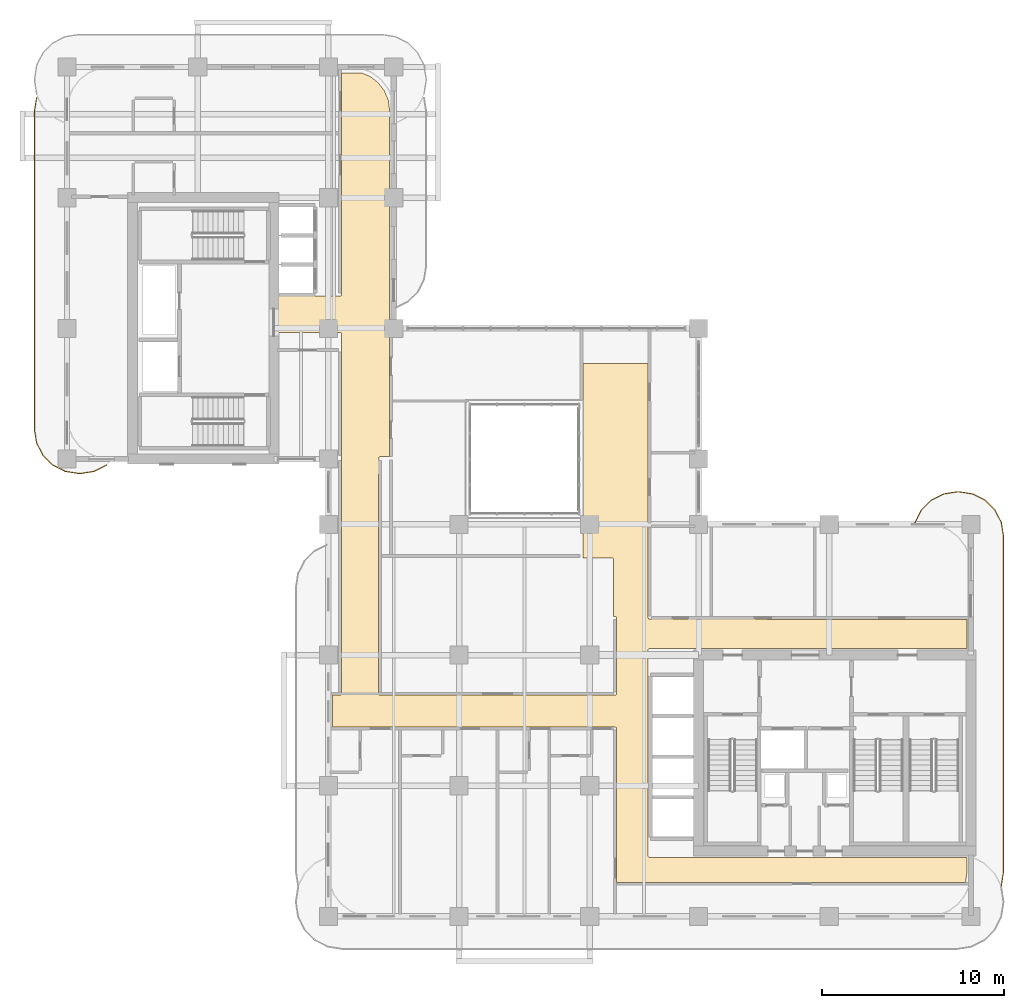
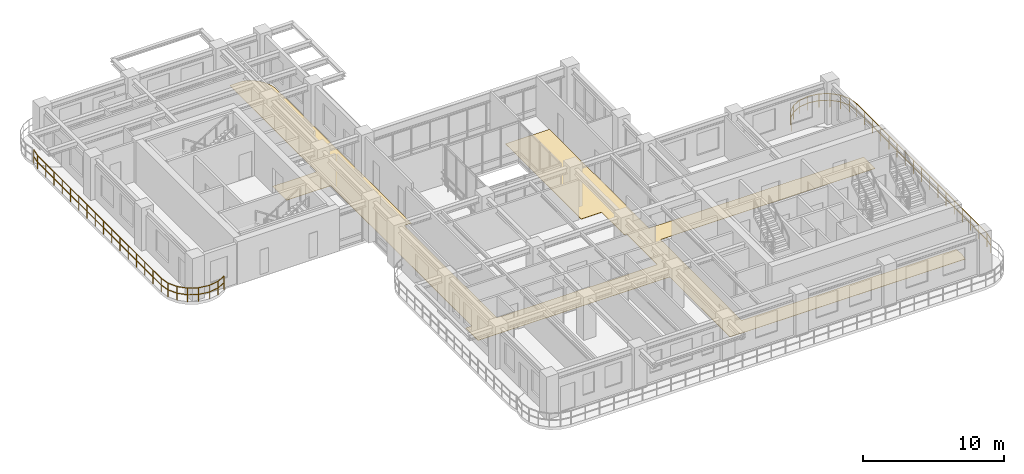
# One storey, part 19 of 20: 2 railings, 1 covering.
"""IFC4 building model written with IfcOpenShell, lengths in metres."""

from ifc_helpers import new_model, si_unit, derived_unit, direction, frame, origin, origin_2d, place, context, subcontext, project, spatial, polyline, rectangle, outline, extrude, material, layer, layer_set, type_object, element, save


model = new_model("IFC4")

# Units and contexts
model_context = context("Model", 3, precision=1e-05, world=origin(), true_north=direction((0.0, 1.0)))
body_context = subcontext(model_context, "Body", "Model", "MODEL_VIEW")
ifc_project = project(units=[si_unit("LENGTHUNIT", "METRE"), si_unit("AREAUNIT", "SQUARE_METRE"), si_unit("VOLUMEUNIT", "CUBIC_METRE"), si_unit("PLANEANGLEUNIT", "RADIAN"), si_unit("MASSUNIT", "GRAM", prefix="KILO"), si_unit("THERMODYNAMICTEMPERATUREUNIT", "KELVIN"), si_unit("POWERUNIT", "WATT"), derived_unit("THERMALTRANSMITTANCEUNIT", [(si_unit("POWERUNIT", "WATT"), 1), (si_unit("AREAUNIT", "SQUARE_METRE"), -1), (si_unit("THERMODYNAMICTEMPERATUREUNIT", "KELVIN"), -1)])], contexts=[model_context])

# Site, building, storey
site_placement = place(None, origin())
site = spatial("IfcSite", under=ifc_project, at=site_placement, CompositionType="ELEMENT")
building_placement = place(site_placement, origin())
building = spatial("IfcBuilding", under=site, at=building_placement, Name="Zahravan Archway Hotel and Residences", CompositionType="ELEMENT")
storey_placement = place(building_placement, frame((0.0, 0.0, 126.60009765625)))
storey = spatial("IfcBuildingStorey", under=building, at=storey_placement, Name="L31", CompositionType="ELEMENT", Elevation=126.60009765625)

# Covering
ifc_material_1 = material(Name="Engineered Walnut Parquet Flooring")
ifc_layer = layer(ifc_material_1, 0.02197265625, Name="Engineered Walnut Parquet Flooring")
ifc_layer_set = layer_set([ifc_layer], Name="Engineered Walnut Parquet Flooring")
covering_type = type_object("IfcCoveringType", Name="COV-FLR-TIMB", PredefinedType="FLOORING", material=ifc_layer_set)
covering_placement = place(storey_placement, origin())
element("IfcCovering", 1, at=covering_placement, inside=storey, type_object=covering_type, Name="L31 Circulation Floor Finish", PredefinedType="FLOORING", context=body_context, shape_type="SweptSolid", body=[
    extrude(outline(polyline([(32.09228515625, 14.754638671875), (32.04931640625, 14.73681640625), (32.0234375, 14.6982421875), (32.02001953125, 3.324951171875), (32.033447265625, 3.280517578125), (32.0693359375, 3.251220703125), (49.580078125, 3.2451171875), (49.580078125, 2.414306640625), (49.509521484375, 1.8798828125), (30.280029296875, 1.8798828125), (30.280029296875, 10.35009765625), (30.2666015625, 10.394287109375), (30.230712890625, 10.423828125), (14.6201171875, 10.429931640625), (14.6201171875, 12.18994140625), (15.050048828125, 12.18994140625), (15.094482421875, 12.20361328125), (15.123779296875, 12.239501953125), (15.1298828125, 32.10009765625), (15.116455078125, 32.144287109375), (15.08056640625, 32.173828125), (11.530029296875, 32.179931640625), (11.530029296875, 34.169921875), (15.050048828125, 34.169921875), (15.094482421875, 34.18359375), (15.123779296875, 34.219482421875), (15.1298828125, 46.469970703125), (16.24560546875, 46.469970703125), (16.689208984375, 46.286376953125), (17.14013671875, 45.940185546875), (17.486328125, 45.489013671875), (17.703857421875, 44.9638671875), (17.77001953125, 44.46142578125), (17.77001953125, 25.330078125), (17.25, 25.330078125), (17.20556640625, 25.31640625), (17.176025390625, 25.280517578125), (17.169921875, 12.27001953125), (17.18359375, 12.2255859375), (17.219482421875, 12.196044921875), (30.199951171875, 12.18994140625), (30.244384765625, 12.20361328125), (30.27392578125, 12.239501953125), (30.280029296875, 16.449951171875), (30.2666015625, 16.494384765625), (30.230712890625, 16.52392578125), (30.10009765625, 16.530029296875), (30.10009765625, 19.719970703125), (30.072998046875, 19.75), (28.429931640625, 19.75), (28.429931640625, 30.469970703125), (32.02001953125, 30.469970703125), (32.02001953125, 16.449951171875), (32.033447265625, 16.405517578125), (32.0693359375, 16.376220703125), (49.580078125, 16.3701171875), (49.580078125, 14.7548828125), (32.10009765625, 14.7548828125), (32.09228515625, 14.754638671875)])), origin(), (0.0, 0.0, 1.0), 0.02197265625),
])

# Railings
ifc_material_2 = material(Name="Bronze & Laminated Glass Balustrade", Category="glass")
railing_type = type_object("IfcRailingType", Name="RL-BAL-1200", PredefinedType="BALUSTRADE", material=ifc_material_2)
railing_1_placement = place(storey_placement, frame((46.719970703125, 21.70703125, 0.0)))
element("IfcRailing", 2, at=railing_1_placement, inside=storey, type_object=railing_type, Name="L31 Balustrade RL-SLB-BAL-L31-EA-1", PredefinedType="BALUSTRADE", context=body_context, shape_type="SweptSolid", body=[
    extrude(rectangle(XDim=0.048095703125, YDim=0.048095703125, at=origin_2d()), frame((0.0, 0.0, 1.17578125), z_axis=(0.453825591531, 0.891090529897, 0.0), x_axis=(-0.891090529897, 0.453825591531, 0.0)), (0.0, 0.0, 1.0), 0.7666015625),
    extrude(rectangle(XDim=0.048095703125, YDim=0.048095703125, at=origin_2d()), frame((0.0, 0.0, 0.60009765625), z_axis=(0.453825591531, 0.891090529897, 0.0), x_axis=(-0.891090529897, 0.453825591531, 0.0)), (0.0, 0.0, 1.0), 0.7666015625),
    extrude(rectangle(XDim=0.048095703125, YDim=0.048095703125, at=origin_2d()), frame((0.347900390625, 0.68310546875, 1.17578125), z_axis=(0.707106781187, 0.707106781187, 0.0), x_axis=(-0.707106781187, 0.707106781187, 0.0)), (0.0, 0.0, 1.0), 0.7666015625),
    extrude(rectangle(XDim=0.048095703125, YDim=0.048095703125, at=origin_2d()), frame((0.347900390625, 0.68310546875, 0.60009765625), z_axis=(0.707106781187, 0.707106781187, 0.0), x_axis=(-0.707106781187, 0.707106781187, 0.0)), (0.0, 0.0, 1.0), 0.7666015625),
    extrude(rectangle(XDim=0.048095703125, YDim=0.048095703125, at=origin_2d()), frame((0.889892578125, 1.22509765625, 1.17578125), z_axis=(0.891090529897, 0.453825591531, 0.0), x_axis=(-0.453825591531, 0.891090529897, 0.0)), (0.0, 0.0, 1.0), 0.7666015625),
    extrude(rectangle(XDim=0.048095703125, YDim=0.048095703125, at=origin_2d()), frame((0.889892578125, 1.22509765625, 0.60009765625), z_axis=(0.891090529897, 0.453825591531, 0.0), x_axis=(-0.453825591531, 0.891090529897, 0.0)), (0.0, 0.0, 1.0), 0.7666015625),
    extrude(rectangle(XDim=0.048095703125, YDim=0.048095703125, at=origin_2d()), frame((1.572998046875, 1.572998046875, 1.17578125), z_axis=(0.987695728695, 0.156387811283, 0.0), x_axis=(-0.156387811283, 0.987695728695, 0.0)), (0.0, 0.0, 1.0), 0.7666015625),
    extrude(rectangle(XDim=0.048095703125, YDim=0.048095703125, at=origin_2d()), frame((1.572998046875, 1.572998046875, 0.60009765625), z_axis=(0.987695728695, 0.156387811283, 0.0), x_axis=(-0.156387811283, 0.987695728695, 0.0)), (0.0, 0.0, 1.0), 0.7666015625),
    extrude(rectangle(XDim=0.048095703125, YDim=0.048095703125, at=origin_2d()), frame((2.330078125, 1.69287109375, 1.17578125), z_axis=(1.0, 0.0, 0.0), x_axis=(0.0, 1.0, 0.0)), (0.0, 0.0, 1.0), 0.099853515625),
    extrude(rectangle(XDim=0.048095703125, YDim=0.048095703125, at=origin_2d()), frame((2.330078125, 1.69287109375, 0.60009765625), z_axis=(1.0, 0.0, 0.0), x_axis=(0.0, 1.0, 0.0)), (0.0, 0.0, 1.0), 0.099853515625),
    extrude(rectangle(XDim=0.048095703125, YDim=0.048095703125, at=origin_2d()), frame((2.429931640625, 1.69287109375, 1.17578125), z_axis=(0.987695728695, -0.156387811283, 0.0), x_axis=(0.156387811283, 0.987695728695, 0.0)), (0.0, 0.0, 1.0), 0.7666015625),
    extrude(rectangle(XDim=0.048095703125, YDim=0.048095703125, at=origin_2d()), frame((2.429931640625, 1.69287109375, 0.60009765625), z_axis=(0.987695728695, -0.156387811283, 0.0), x_axis=(0.156387811283, 0.987695728695, 0.0)), (0.0, 0.0, 1.0), 0.7666015625),
    extrude(rectangle(XDim=0.048095703125, YDim=0.048095703125, at=origin_2d()), frame((3.18701171875, 1.572998046875, 1.17578125), z_axis=(0.891090529897, -0.453825591531, 0.0), x_axis=(0.453825591531, 0.891090529897, 0.0)), (0.0, 0.0, 1.0), 0.7666015625),
    extrude(rectangle(XDim=0.048095703125, YDim=0.048095703125, at=origin_2d()), frame((3.18701171875, 1.572998046875, 0.60009765625), z_axis=(0.891090529897, -0.453825591531, 0.0), x_axis=(0.453825591531, 0.891090529897, 0.0)), (0.0, 0.0, 1.0), 0.7666015625),
    extrude(rectangle(XDim=0.048095703125, YDim=0.048095703125, at=origin_2d()), frame((3.8701171875, 1.22509765625, 1.17578125), z_axis=(0.707106781187, -0.707106781187, 0.0), x_axis=(0.707106781187, 0.707106781187, 0.0)), (0.0, 0.0, 1.0), 0.7666015625),
    extrude(rectangle(XDim=0.048095703125, YDim=0.048095703125, at=origin_2d()), frame((3.8701171875, 1.22509765625, 0.60009765625), z_axis=(0.707106781187, -0.707106781187, 0.0), x_axis=(0.707106781187, 0.707106781187, 0.0)), (0.0, 0.0, 1.0), 0.7666015625),
    extrude(rectangle(XDim=0.048095703125, YDim=0.048095703125, at=origin_2d()), frame((4.412109375, 0.68310546875, 1.17578125), z_axis=(0.453825591531, -0.891090529897, 0.0), x_axis=(0.891090529897, 0.453825591531, 0.0)), (0.0, 0.0, 1.0), 0.7666015625),
    extrude(rectangle(XDim=0.048095703125, YDim=0.048095703125, at=origin_2d()), frame((4.412109375, 0.68310546875, 0.60009765625), z_axis=(0.453825591531, -0.891090529897, 0.0), x_axis=(0.891090529897, 0.453825591531, 0.0)), (0.0, 0.0, 1.0), 0.7666015625),
    extrude(rectangle(XDim=0.048095703125, YDim=0.048095703125, at=origin_2d()), frame((4.760009765625, 0.0, 1.17578125), z_axis=(0.156698507018, -0.987646484274, 0.0), x_axis=(0.987646484274, 0.156698507018, 0.0)), (0.0, 0.0, 1.0), 0.7666015625),
    extrude(rectangle(XDim=0.048095703125, YDim=0.048095703125, at=origin_2d()), frame((4.760009765625, 0.0, 0.60009765625), z_axis=(0.156698507018, -0.987646484274, 0.0), x_axis=(0.987646484274, 0.156698507018, 0.0)), (0.0, 0.0, 1.0), 0.7666015625),
    extrude(rectangle(XDim=0.048095703125, YDim=0.048095703125, at=origin_2d()), frame((4.880126953125, -0.757080078125, 1.17578125), z_axis=(0.0, -1.0, 0.0), x_axis=(1.0, 0.0, 0.0)), (0.0, 0.0, 1.0), 18.5),
    extrude(rectangle(XDim=0.048095703125, YDim=0.048095703125, at=origin_2d()), frame((4.880126953125, -0.757080078125, 0.60009765625), z_axis=(0.0, -1.0, 0.0), x_axis=(1.0, 0.0, 0.0)), (0.0, 0.0, 1.0), 18.5),
    extrude(rectangle(XDim=0.048095703125, YDim=0.048095703125, at=origin_2d()), frame((4.880126953125, -19.257080078125, 1.17578125), z_axis=(-0.156698507018, -0.987646484274, 0.0), x_axis=(0.987646484274, -0.156698507018, 0.0)), (0.0, 0.0, 1.0), 0.7666015625),
    extrude(rectangle(XDim=0.048095703125, YDim=0.048095703125, at=origin_2d()), frame((4.880126953125, -19.257080078125, 0.60009765625), z_axis=(-0.156698507018, -0.987646484274, 0.0), x_axis=(0.987646484274, -0.156698507018, 0.0)), (0.0, 0.0, 1.0), 0.7666015625),
    extrude(rectangle(XDim=0.0419921875, YDim=0.0419921875, at=origin_2d()), origin(), (0.0, 0.0, 1.0), 1.15185546875),
    extrude(rectangle(XDim=0.0419921875, YDim=0.0419921875, at=origin_2d()), frame((0.347900390625, 0.68310546875, 0.0)), (0.0, 0.0, 1.0), 1.15185546875),
    extrude(rectangle(XDim=0.0419921875, YDim=0.0419921875, at=origin_2d()), frame((0.889892578125, 1.22509765625, 0.0)), (0.0, 0.0, 1.0), 1.15185546875),
    extrude(rectangle(XDim=0.0419921875, YDim=0.0419921875, at=origin_2d()), frame((1.572998046875, 1.572998046875, 0.0)), (0.0, 0.0, 1.0), 1.15185546875),
    extrude(rectangle(XDim=0.0419921875, YDim=0.0419921875, at=origin_2d()), frame((2.330078125, 1.69287109375, 0.0)), (0.0, 0.0, 1.0), 1.15185546875),
    extrude(rectangle(XDim=0.0419921875, YDim=0.0419921875, at=origin_2d()), frame((3.18701171875, 1.572998046875, 0.0)), (0.0, 0.0, 1.0), 1.15185546875),
    extrude(rectangle(XDim=0.0419921875, YDim=0.0419921875, at=origin_2d()), frame((3.8701171875, 1.22509765625, 0.0)), (0.0, 0.0, 1.0), 1.15185546875),
    extrude(rectangle(XDim=0.0419921875, YDim=0.0419921875, at=origin_2d()), frame((4.412109375, 0.68310546875, 0.0)), (0.0, 0.0, 1.0), 1.15185546875),
    extrude(rectangle(XDim=0.0419921875, YDim=0.0419921875, at=origin_2d()), frame((4.760009765625, 0.0, 0.0)), (0.0, 0.0, 1.0), 1.15185546875),
    extrude(rectangle(XDim=0.0419921875, YDim=0.0419921875, at=origin_2d()), frame((4.880126953125, -0.757080078125, 0.0)), (0.0, 0.0, 1.0), 1.15185546875),
    extrude(rectangle(XDim=0.0419921875, YDim=0.0419921875, at=origin_2d()), frame((4.880126953125, -1.913330078125, 0.0)), (0.0, 0.0, 1.0), 1.15185546875),
    extrude(rectangle(XDim=0.0419921875, YDim=0.0419921875, at=origin_2d()), frame((4.880126953125, -3.069580078125, 0.0)), (0.0, 0.0, 1.0), 1.15185546875),
    extrude(rectangle(XDim=0.0419921875, YDim=0.0419921875, at=origin_2d()), frame((4.880126953125, -4.225830078125, 0.0)), (0.0, 0.0, 1.0), 1.15185546875),
    extrude(rectangle(XDim=0.0419921875, YDim=0.0419921875, at=origin_2d()), frame((4.880126953125, -5.382080078125, 0.0)), (0.0, 0.0, 1.0), 1.15185546875),
    extrude(rectangle(XDim=0.0419921875, YDim=0.0419921875, at=origin_2d()), frame((4.880126953125, -6.538330078125, 0.0)), (0.0, 0.0, 1.0), 1.15185546875),
    extrude(rectangle(XDim=0.0419921875, YDim=0.0419921875, at=origin_2d()), frame((4.880126953125, -7.694580078125, 0.0)), (0.0, 0.0, 1.0), 1.15185546875),
    extrude(rectangle(XDim=0.0419921875, YDim=0.0419921875, at=origin_2d()), frame((4.880126953125, -8.850830078125, 0.0)), (0.0, 0.0, 1.0), 1.15185546875),
    extrude(rectangle(XDim=0.0419921875, YDim=0.0419921875, at=origin_2d()), frame((4.880126953125, -10.007080078125, 0.0)), (0.0, 0.0, 1.0), 1.15185546875),
    extrude(rectangle(XDim=0.0419921875, YDim=0.0419921875, at=origin_2d()), frame((4.880126953125, -11.163330078125, 0.0)), (0.0, 0.0, 1.0), 1.15185546875),
    extrude(rectangle(XDim=0.0419921875, YDim=0.0419921875, at=origin_2d()), frame((4.880126953125, -12.319580078125, 0.0)), (0.0, 0.0, 1.0), 1.15185546875),
    extrude(rectangle(XDim=0.0419921875, YDim=0.0419921875, at=origin_2d()), frame((4.880126953125, -13.475830078125, 0.0)), (0.0, 0.0, 1.0), 1.15185546875),
    extrude(rectangle(XDim=0.0419921875, YDim=0.0419921875, at=origin_2d()), frame((4.880126953125, -14.632080078125, 0.0)), (0.0, 0.0, 1.0), 1.15185546875),
    extrude(rectangle(XDim=0.0419921875, YDim=0.0419921875, at=origin_2d()), frame((4.880126953125, -15.788330078125, 0.0)), (0.0, 0.0, 1.0), 1.15185546875),
    extrude(rectangle(XDim=0.0419921875, YDim=0.0419921875, at=origin_2d()), frame((4.880126953125, -16.944580078125, 0.0)), (0.0, 0.0, 1.0), 1.15185546875),
    extrude(rectangle(XDim=0.0419921875, YDim=0.0419921875, at=origin_2d()), frame((4.880126953125, -18.100830078125, 0.0)), (0.0, 0.0, 1.0), 1.15185546875),
    extrude(rectangle(XDim=0.0419921875, YDim=0.0419921875, at=origin_2d()), frame((4.880126953125, -19.257080078125, 0.0)), (0.0, 0.0, 1.0), 1.15185546875),
    extrude(rectangle(XDim=0.0419921875, YDim=0.0419921875, at=origin_2d()), frame((4.760009765625, -20.01416015625, 0.0)), (0.0, 0.0, 1.0), 1.15185546875),
])
railing_2_placement = place(storey_placement, frame((2.190185546875, 24.867919921875, 0.0)))
element("IfcRailing", 3, at=railing_2_placement, inside=storey, type_object=railing_type, Name="L31 Balustrade RL-SLB-BAL-L31-WB-1", PredefinedType="BALUSTRADE", context=body_context, shape_type="SweptSolid", body=[
    extrude(rectangle(XDim=0.048095703125, YDim=0.048095703125, at=origin_2d()), frame((0.0, 0.0, 1.17578125), z_axis=(-0.891090529897, -0.453825591531, 0.0), x_axis=(0.453825591531, -0.891090529897, 0.0)), (0.0, 0.0, 1.0), 0.7666015625),
    extrude(rectangle(XDim=0.048095703125, YDim=0.048095703125, at=origin_2d()), frame((0.0, 0.0, 0.60009765625), z_axis=(-0.891090529897, -0.453825591531, 0.0), x_axis=(0.453825591531, -0.891090529897, 0.0)), (0.0, 0.0, 1.0), 0.7666015625),
    extrude(rectangle(XDim=0.048095703125, YDim=0.048095703125, at=origin_2d()), frame((-0.68310546875, -0.347900390625, 1.17578125), z_axis=(-0.987646484274, -0.156698507018, 0.0), x_axis=(0.156698507018, -0.987646484274, 0.0)), (0.0, 0.0, 1.0), 0.7666015625),
    extrude(rectangle(XDim=0.048095703125, YDim=0.048095703125, at=origin_2d()), frame((-0.68310546875, -0.347900390625, 0.60009765625), z_axis=(-0.987646484274, -0.156698507018, 0.0), x_axis=(0.156698507018, -0.987646484274, 0.0)), (0.0, 0.0, 1.0), 0.7666015625),
    extrude(rectangle(XDim=0.048095703125, YDim=0.048095703125, at=origin_2d()), frame((-1.440185546875, -0.468017578125, 1.17578125), z_axis=(-1.0, 0.0, 0.0), x_axis=(0.0, -1.0, 0.0)), (0.0, 0.0, 1.0), 0.10009765625),
    extrude(rectangle(XDim=0.048095703125, YDim=0.048095703125, at=origin_2d()), frame((-1.440185546875, -0.468017578125, 0.60009765625), z_axis=(-1.0, 0.0, 0.0), x_axis=(0.0, -1.0, 0.0)), (0.0, 0.0, 1.0), 0.10009765625),
    extrude(rectangle(XDim=0.048095703125, YDim=0.048095703125, at=origin_2d()), frame((-1.540283203125, -0.468017578125, 1.17578125), z_axis=(-0.987646484274, 0.156698507018, 0.0), x_axis=(-0.156698507018, -0.987646484274, 0.0)), (0.0, 0.0, 1.0), 0.7666015625),
    extrude(rectangle(XDim=0.048095703125, YDim=0.048095703125, at=origin_2d()), frame((-1.540283203125, -0.468017578125, 0.60009765625), z_axis=(-0.987646484274, 0.156698507018, 0.0), x_axis=(-0.156698507018, -0.987646484274, 0.0)), (0.0, 0.0, 1.0), 0.7666015625),
    extrude(rectangle(XDim=0.048095703125, YDim=0.048095703125, at=origin_2d()), frame((-2.29736328125, -0.347900390625, 1.17578125), z_axis=(-0.891024909783, 0.453954414172, 0.0), x_axis=(-0.453954414172, -0.891024909783, 0.0)), (0.0, 0.0, 1.0), 0.766357421875),
    extrude(rectangle(XDim=0.048095703125, YDim=0.048095703125, at=origin_2d()), frame((-2.29736328125, -0.347900390625, 0.60009765625), z_axis=(-0.891024909783, 0.453954414172, 0.0), x_axis=(-0.453954414172, -0.891024909783, 0.0)), (0.0, 0.0, 1.0), 0.766357421875),
    extrude(rectangle(XDim=0.048095703125, YDim=0.048095703125, at=origin_2d()), frame((-2.980224609375, 0.0, 1.17578125), z_axis=(-0.707106781187, 0.707106781187, 0.0), x_axis=(-0.707106781187, -0.707106781187, 0.0)), (0.0, 0.0, 1.0), 0.7666015625),
    extrude(rectangle(XDim=0.048095703125, YDim=0.048095703125, at=origin_2d()), frame((-2.980224609375, 0.0, 0.60009765625), z_axis=(-0.707106781187, 0.707106781187, 0.0), x_axis=(-0.707106781187, -0.707106781187, 0.0)), (0.0, 0.0, 1.0), 0.7666015625),
    extrude(rectangle(XDim=0.048095703125, YDim=0.048095703125, at=origin_2d()), frame((-3.522216796875, 0.5419921875, 1.17578125), z_axis=(-0.454078418624, 0.890961721815, 0.0), x_axis=(-0.890961721815, -0.454078418624, 0.0)), (0.0, 0.0, 1.0), 0.7666015625),
    extrude(rectangle(XDim=0.048095703125, YDim=0.048095703125, at=origin_2d()), frame((-3.522216796875, 0.5419921875, 0.60009765625), z_axis=(-0.454078418624, 0.890961721815, 0.0), x_axis=(-0.890961721815, -0.454078418624, 0.0)), (0.0, 0.0, 1.0), 0.7666015625),
    extrude(rectangle(XDim=0.048095703125, YDim=0.048095703125, at=origin_2d()), frame((-3.870361328125, 1.22509765625, 1.17578125), z_axis=(-0.156387811283, 0.987695728695, 0.0), x_axis=(-0.987695728695, -0.156387811283, 0.0)), (0.0, 0.0, 1.0), 0.7666015625),
    extrude(rectangle(XDim=0.048095703125, YDim=0.048095703125, at=origin_2d()), frame((-3.870361328125, 1.22509765625, 0.60009765625), z_axis=(-0.156387811283, 0.987695728695, 0.0), x_axis=(-0.987695728695, -0.156387811283, 0.0)), (0.0, 0.0, 1.0), 0.7666015625),
    extrude(rectangle(XDim=0.048095703125, YDim=0.048095703125, at=origin_2d()), frame((-3.990234375, 1.982177734375, 1.17578125), z_axis=(0.0, 1.0, 0.0), x_axis=(-1.0, 0.0, 0.0)), (0.0, 0.0, 1.0), 17.5),
    extrude(rectangle(XDim=0.048095703125, YDim=0.048095703125, at=origin_2d()), frame((-3.990234375, 1.982177734375, 0.60009765625), z_axis=(0.0, 1.0, 0.0), x_axis=(-1.0, 0.0, 0.0)), (0.0, 0.0, 1.0), 17.5),
    extrude(rectangle(XDim=0.048095703125, YDim=0.048095703125, at=origin_2d()), frame((-3.990234375, 19.482177734375, 1.17578125), z_axis=(0.156387811283, 0.987695728695, 0.0), x_axis=(-0.987695728695, 0.156387811283, 0.0)), (0.0, 0.0, 1.0), 0.7666015625),
    extrude(rectangle(XDim=0.048095703125, YDim=0.048095703125, at=origin_2d()), frame((-3.990234375, 19.482177734375, 0.60009765625), z_axis=(0.156387811283, 0.987695728695, 0.0), x_axis=(-0.987695728695, 0.156387811283, 0.0)), (0.0, 0.0, 1.0), 0.7666015625),
    extrude(rectangle(XDim=0.0419921875, YDim=0.0419921875, at=origin_2d()), origin(), (0.0, 0.0, 1.0), 1.15185546875),
    extrude(rectangle(XDim=0.0419921875, YDim=0.0419921875, at=origin_2d()), frame((-0.68310546875, -0.347900390625, 0.0)), (0.0, 0.0, 1.0), 1.15185546875),
    extrude(rectangle(XDim=0.0419921875, YDim=0.0419921875, at=origin_2d()), frame((-1.440185546875, -0.468017578125, 0.0)), (0.0, 0.0, 1.0), 1.15185546875),
    extrude(rectangle(XDim=0.0419921875, YDim=0.0419921875, at=origin_2d()), frame((-2.29736328125, -0.347900390625, 0.0)), (0.0, 0.0, 1.0), 1.15185546875),
    extrude(rectangle(XDim=0.0419921875, YDim=0.0419921875, at=origin_2d()), frame((-2.980224609375, 0.0, 0.0)), (0.0, 0.0, 1.0), 1.15185546875),
    extrude(rectangle(XDim=0.0419921875, YDim=0.0419921875, at=origin_2d()), frame((-3.522216796875, 0.5419921875, 0.0)), (0.0, 0.0, 1.0), 1.15185546875),
    extrude(rectangle(XDim=0.0419921875, YDim=0.0419921875, at=origin_2d()), frame((-3.870361328125, 1.22509765625, 0.0)), (0.0, 0.0, 1.0), 1.15185546875),
    extrude(rectangle(XDim=0.0419921875, YDim=0.0419921875, at=origin_2d()), frame((-3.990234375, 1.982177734375, 0.0)), (0.0, 0.0, 1.0), 1.15185546875),
    extrude(rectangle(XDim=0.0419921875, YDim=0.0419921875, at=origin_2d()), frame((-3.990234375, 3.14892578125, 0.0)), (0.0, 0.0, 1.0), 1.15185546875),
    extrude(rectangle(XDim=0.0419921875, YDim=0.0419921875, at=origin_2d()), frame((-3.990234375, 4.3154296875, 0.0)), (0.0, 0.0, 1.0), 1.15185546875),
    extrude(rectangle(XDim=0.0419921875, YDim=0.0419921875, at=origin_2d()), frame((-3.990234375, 5.482177734375, 0.0)), (0.0, 0.0, 1.0), 1.15185546875),
    extrude(rectangle(XDim=0.0419921875, YDim=0.0419921875, at=origin_2d()), frame((-3.990234375, 6.64892578125, 0.0)), (0.0, 0.0, 1.0), 1.15185546875),
    extrude(rectangle(XDim=0.0419921875, YDim=0.0419921875, at=origin_2d()), frame((-3.990234375, 7.8154296875, 0.0)), (0.0, 0.0, 1.0), 1.15185546875),
    extrude(rectangle(XDim=0.0419921875, YDim=0.0419921875, at=origin_2d()), frame((-3.990234375, 8.982177734375, 0.0)), (0.0, 0.0, 1.0), 1.15185546875),
    extrude(rectangle(XDim=0.0419921875, YDim=0.0419921875, at=origin_2d()), frame((-3.990234375, 10.14892578125, 0.0)), (0.0, 0.0, 1.0), 1.15185546875),
    extrude(rectangle(XDim=0.0419921875, YDim=0.0419921875, at=origin_2d()), frame((-3.990234375, 11.3154296875, 0.0)), (0.0, 0.0, 1.0), 1.15185546875),
    extrude(rectangle(XDim=0.0419921875, YDim=0.0419921875, at=origin_2d()), frame((-3.990234375, 12.482177734375, 0.0)), (0.0, 0.0, 1.0), 1.15185546875),
    extrude(rectangle(XDim=0.0419921875, YDim=0.0419921875, at=origin_2d()), frame((-3.990234375, 13.64892578125, 0.0)), (0.0, 0.0, 1.0), 1.15185546875),
    extrude(rectangle(XDim=0.0419921875, YDim=0.0419921875, at=origin_2d()), frame((-3.990234375, 14.8154296875, 0.0)), (0.0, 0.0, 1.0), 1.15185546875),
    extrude(rectangle(XDim=0.0419921875, YDim=0.0419921875, at=origin_2d()), frame((-3.990234375, 15.982177734375, 0.0)), (0.0, 0.0, 1.0), 1.15185546875),
    extrude(rectangle(XDim=0.0419921875, YDim=0.0419921875, at=origin_2d()), frame((-3.990234375, 17.14892578125, 0.0)), (0.0, 0.0, 1.0), 1.15185546875),
    extrude(rectangle(XDim=0.0419921875, YDim=0.0419921875, at=origin_2d()), frame((-3.990234375, 18.3154296875, 0.0)), (0.0, 0.0, 1.0), 1.15185546875),
    extrude(rectangle(XDim=0.0419921875, YDim=0.0419921875, at=origin_2d()), frame((-3.990234375, 19.482177734375, 0.0)), (0.0, 0.0, 1.0), 1.15185546875),
    extrude(rectangle(XDim=0.0419921875, YDim=0.0419921875, at=origin_2d()), frame((-3.870361328125, 20.2392578125, 0.0)), (0.0, 0.0, 1.0), 1.15185546875),
])

save(model, "model.ifc")
